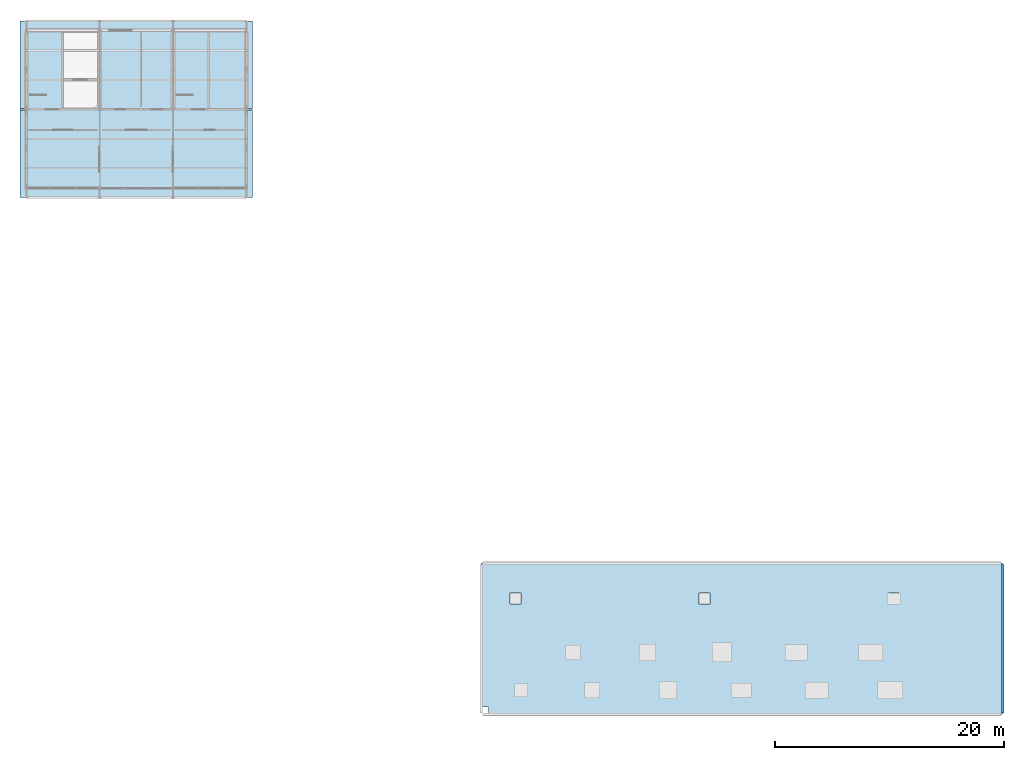
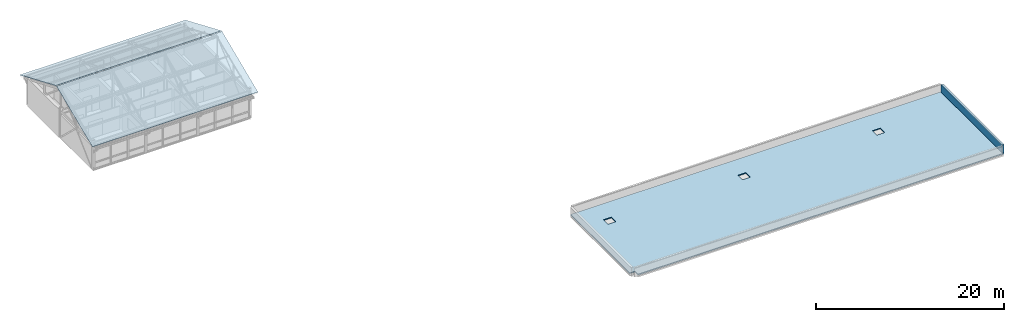
# One storey, part 10 of 11: 3 roofs, 1 wall.
"""IFC4 building model written with IfcOpenShell, lengths in metres."""

from ifc_helpers import new_model, si_unit, direction, frame, frame_2d, origin, place, context, subcontext, project, spatial, polyline, rectangle, outline, extrude, material, layer, layer_set, type_object, element, save


model = new_model("IFC4")

# Units and contexts
model_context = context("Model", 3, precision=1e-05, world=origin(), true_north=direction((0.0, 1.0)))
body_context = subcontext(model_context, "Body", "Model", "MODEL_VIEW")
ifc_project = project(units=[si_unit("LENGTHUNIT", "METRE"), si_unit("AREAUNIT", "SQUARE_METRE"), si_unit("VOLUMEUNIT", "CUBIC_METRE"), si_unit("PLANEANGLEUNIT", "RADIAN"), si_unit("MASSUNIT", "GRAM", prefix="KILO")], contexts=[model_context])

# Site, building, storey
site_placement = place(None, origin())
site = spatial("IfcSite", under=ifc_project, at=site_placement, CompositionType="ELEMENT")
building_placement = place(site_placement, origin())
building = spatial("IfcBuilding", under=site, at=building_placement, Name="Trelmorton Wharf Fire Station", CompositionType="ELEMENT")
storey_placement = place(building_placement, frame((0.0, 0.0, 25.199951171875)))
storey = spatial("IfcBuildingStorey", under=building, at=storey_placement, Name="L06", CompositionType="ELEMENT", Elevation=25.199951171875)

# Wall
ifc_material_1 = material(Name="Precast concrete 45 MPa", Category="concrete")
ifc_layer_1 = layer(ifc_material_1, 0.2099609375)
ifc_layer_set_1 = layer_set([ifc_layer_1], Name="Precast concrete 45 MPa")
wall_type = type_object("IfcWallType", Name="EW_PARA_210", PredefinedType="PARAPET", material=ifc_layer_set_1)
wall_placement = place(storey_placement, frame((156.0, 27.47998046875, 0.0), z_axis=(0.0, 0.0, 1.0), x_axis=(0.0, -1.0, 0.0)))
element("IfcWall", 1, at=wall_placement, inside=storey, type_object=wall_type, Name="WL-PARA-V5RF-07", PredefinedType="PARAPET", context=body_context, shape_type="SweptSolid", body=[
    extrude(rectangle(XDim=12.9599609375, YDim=0.2099609375, at=frame_2d((6.47998046875, 0.0))), origin(), (0.0, 0.0, 1.0), 1.150146484375),
])

# Roofs
ifc_material_2 = material(Name="Planted roof substrate and sedum")
ifc_layer_2 = layer(ifc_material_2, 0.1201171875)
ifc_layer_set_2 = layer_set([ifc_layer_2], Name="Planted roof substrate and sedum")
roof_type_1 = type_object("IfcRoofType", Name="RF_PLANTED_DECK", PredefinedType="FLAT_ROOF", material=ifc_layer_set_2)
roof_1_placement = place(storey_placement, origin())
element("IfcRoof", 2, at=roof_1_placement, inside=storey, type_object=roof_type_1, Name="RF-FLAT-V5-TOP", PredefinedType="FLAT_ROOF", context=body_context, shape_type="SweptSolid", body=[
    extrude(outline(polyline([(111.14990234375, 14.39990234375), (111.14990234375, 15.050048828125), (110.5, 15.050048828125), (110.5, 27.60009765625), (156.0, 27.60009765625), (156.0, 14.39990234375), (111.14990234375, 14.39990234375)]), holes=[polyline([(113.02490234375, 24.02490234375), (113.97509765625, 24.02490234375), (113.97509765625, 24.97509765625), (113.02490234375, 24.97509765625), (113.02490234375, 24.02490234375)]), polyline([(146.02490234375, 24.97509765625), (146.02490234375, 24.02490234375), (146.97509765625, 24.02490234375), (146.97509765625, 24.97509765625), (146.02490234375, 24.97509765625)]), polyline([(130.47509765625, 24.97509765625), (129.52490234375, 24.97509765625), (129.52490234375, 24.02490234375), (130.47509765625, 24.02490234375), (130.47509765625, 24.97509765625)])]), origin(), (0.0, 0.0, 1.0), 0.1201171875),
])
ifc_material_3 = material(Name="Colorsteel standing-seam roofing", Category="steel")
ifc_layer_3 = layer(ifc_material_3, 0.06005859375)
ifc_layer_set_3 = layer_set([ifc_layer_3], Name="Colorsteel standing-seam roofing")
roof_type_2 = type_object("IfcRoofType", Name="RF_STANDING_SEAM", PredefinedType="GABLE_ROOF", material=ifc_layer_set_3)
roof_2_placement = place(storey_placement, frame((70.25, 59.5, 3.623779296875), z_axis=(0.0, -0.390913329481, 0.920427492437), x_axis=(1.0, 0.0, 0.0)))
element("IfcRoof", 3, at=roof_2_placement, inside=storey, type_object=roof_type_2, Name="RF-GABLE-V2-S", PredefinedType="GABLE_ROOF", context=body_context, shape_type="SweptSolid", body=[
    extrude(outline(polyline([(0.0, 0.0), (20.300048828125, 0.0), (20.300048828125, 8.278889157604354), (0.0, 8.278889157604354), (0.0, 0.0)])), origin(), (0.0, 0.0, -1.0), 0.06005859375),
])
roof_3_placement = place(storey_placement, frame((70.25, 67.280029296875, 6.860107421875), z_axis=(0.0, 0.390923940296, 0.920422985862), x_axis=(1.0, 0.0, 0.0)))
element("IfcRoof", 4, at=roof_3_placement, inside=storey, type_object=roof_type_2, Name="RF-GABLE-V2-N", PredefinedType="GABLE_ROOF", context=body_context, shape_type="SweptSolid", body=[
    extrude(outline(polyline([(0.0, 0.0), (20.300048828125, 0.0), (20.300048828125, 8.278664444411193), (0.0, 8.278664444411193), (0.0, 0.0)])), origin(), (0.0, 0.0, -1.0), 0.06005859375),
])

save(model, "model.ifc")
